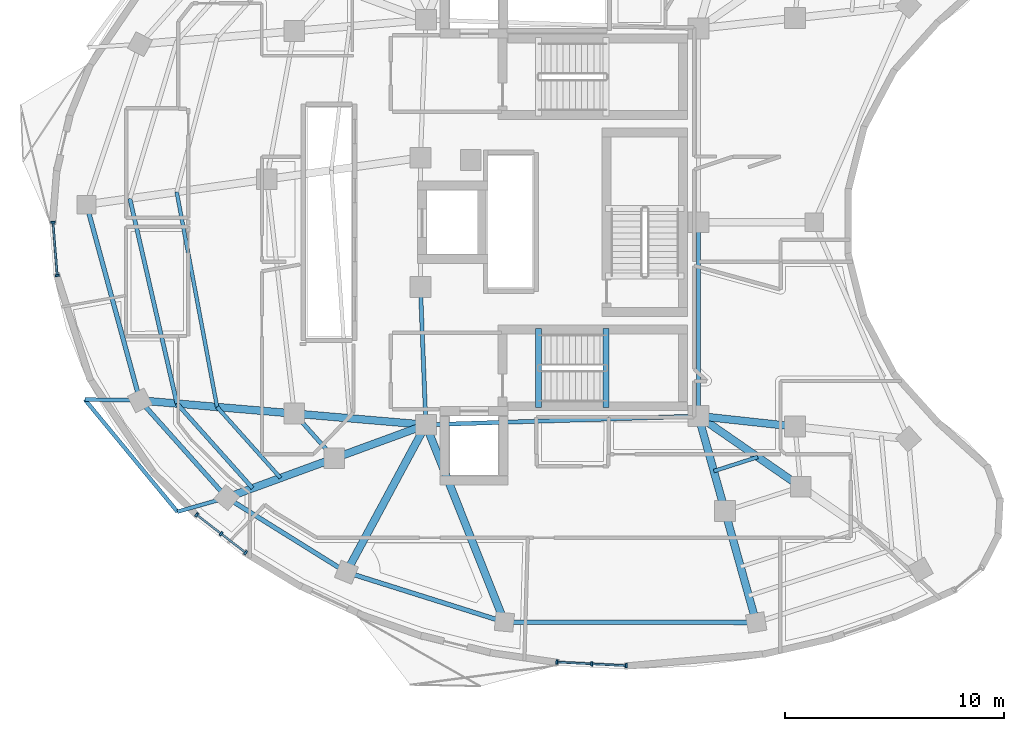
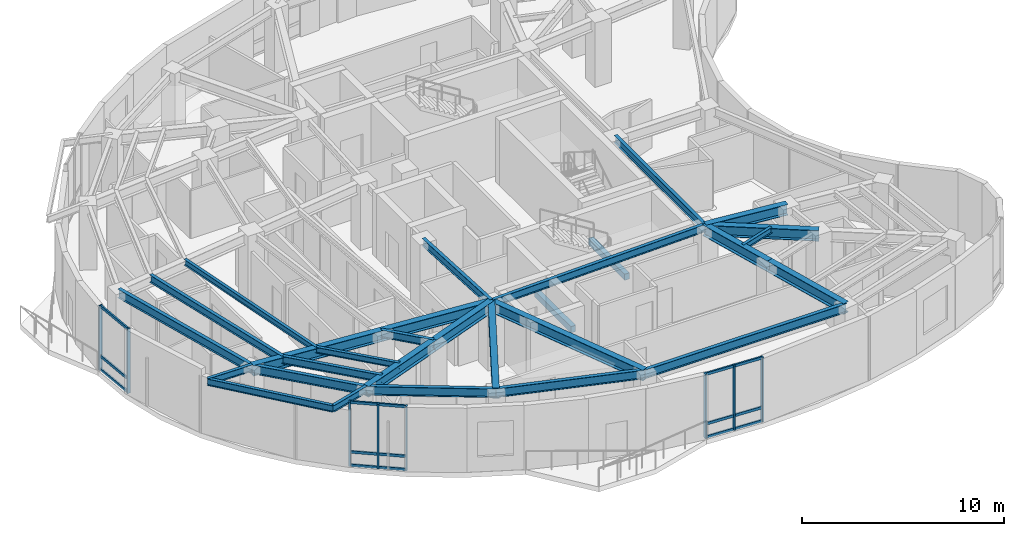
# One storey, part 2 of 14: 29 beams, 23 members, 3 elements without a shape of their own.
"""IFC4 building model written with IfcOpenShell, lengths in metres."""

from ifc_helpers import new_model, si_unit, direction, frame, origin, origin_2d, place, context, subcontext, project, spatial, rectangle, i_section, extrude, material, layer, layer_set, material_profile, profile_set, type_object, element, aggregate, save


model = new_model("IFC4")

# Units and contexts
model_context = context("Model", 3, precision=1e-05, world=origin(), true_north=direction((0.0, 1.0)))
body_context = subcontext(model_context, "Body", "Model", "MODEL_VIEW")
ifc_project = project(units=[si_unit("LENGTHUNIT", "METRE"), si_unit("AREAUNIT", "SQUARE_METRE"), si_unit("VOLUMEUNIT", "CUBIC_METRE"), si_unit("PLANEANGLEUNIT", "RADIAN"), si_unit("MASSUNIT", "GRAM", prefix="KILO")], contexts=[model_context])

# Site, building, storey
site_placement = place(None, origin())
site = spatial("IfcSite", under=ifc_project, at=site_placement, CompositionType="ELEMENT")
building_placement = place(site_placement, origin())
building = spatial("IfcBuilding", under=site, at=building_placement, Name="Korentha Bioscience Tower", CompositionType="ELEMENT")
storey_placement = place(building_placement, frame((0.0, 0.0, 264.60009765625)))
storey = spatial("IfcBuildingStorey", under=building, at=storey_placement, Name="L61", CompositionType="ELEMENT", Elevation=264.60009765625)

# Beams
ifc_material_1 = material(Name="Concrete C50", Category="concrete")
ifc_material_profile_1 = material_profile(ifc_material_1, rectangle(XDim=0.280029296875, YDim=0.3798828125, at=origin_2d()), Name="Concrete C50")
ifc_profile_set_1 = profile_set([ifc_material_profile_1], Name="Concrete C50 (ST-HB380)")
beam_type_1 = type_object("IfcBeamType", Name="Concrete Stair Header Beam RC 280x380", PredefinedType="BEAM", material=ifc_profile_set_1)
for number, where, z_axis, x_axis, name in (
    (1, (30.25, 18.550048828125, -0.190185546875), (0.0, 1.0, 0.0), (-1.0, 0.0, 0.0), "L61 ST-2 Concrete Stair Header Beam"),
    (2, (33.330078125, 18.550048828125, 1.909912109375), (0.0, 1.0, 0.0), (-1.0, 0.0, 0.0), "L61 ST-2 Half-Landing Header Beam 1"),
):
    element("IfcBeam", number, at=place(storey_placement, frame(where, z_axis=z_axis, x_axis=x_axis)), inside=storey, type_object=beam_type_1, Name=name, PredefinedType="BEAM", context=body_context, shape_type="SweptSolid", body=[
        extrude(rectangle(XDim=0.280029296875, YDim=0.3798828125, at=origin_2d()), origin(), (0.0, 0.0, 1.0), 3.599853515625),
    ])
ifc_material_2 = material(Name="Steel S355", Category="steel")
ifc_material_profile_2 = material_profile(ifc_material_2, i_section(OverallWidth=0.18994140625, OverallDepth=0.45703125, WebThickness=0.009033203125, FlangeThickness=0.014404296875, at=origin_2d()), Name="Steel S355")
ifc_profile_set_2 = profile_set([ifc_material_profile_2], Name="Steel S355 (MB-460)")
beam_type_2 = type_object("IfcBeamType", Name="Mid-Ring Tie Girder W460x74", PredefinedType="BEAM", material=ifc_profile_set_2)
beam_1_placement = place(storey_placement, frame((19.08984375, 18.262451171875, 3.67138671875), z_axis=(0.666159168073, -0.745809602239, 0.0), x_axis=(0.745809602239, 0.666159168073, 0.0)))
element("IfcBeam", 3, at=beam_1_placement, inside=storey, type_object=beam_type_2, Name="L61 Mid-Ring Tie Girder 08", PredefinedType="BEAM", context=body_context, shape_type="SweptSolid", body=[
    extrude(i_section(OverallWidth=0.18994140625, OverallDepth=0.45703125, WebThickness=0.009033203125, FlangeThickness=0.014404296875, at=origin_2d()), origin(), (0.0, 0.0, 1.0), 2.740234375),
])
beam_2_placement = place(storey_placement, frame((24.85009765625, 24.050048828125, 3.67138671875), z_axis=(0.039651025576, -0.999213588864, 0.0), x_axis=(0.999213588864, 0.039651025576, 0.0)))
element("IfcBeam", 4, at=beam_2_placement, inside=storey, type_object=beam_type_2, Name="L61 Core Ring Tie Girder 04", PredefinedType="BEAM", context=body_context, shape_type="SweptSolid", body=[
    extrude(i_section(OverallWidth=0.18994140625, OverallDepth=0.45703125, WebThickness=0.009033203125, FlangeThickness=0.014404296875, at=origin_2d()), origin(), (0.0, 0.0, 1.0), 6.304931640625),
])
beam_3_placement = place(storey_placement, frame((25.10009765625, 17.75, 3.67138671875), z_axis=(0.999484526071, 0.032104238723, 0.0), x_axis=(-0.032104238723, 0.999484526071, 0.0)))
element("IfcBeam", 5, at=beam_3_placement, inside=storey, type_object=beam_type_2, Name="L61 Core Ring Tie Girder 05", PredefinedType="BEAM", context=body_context, shape_type="SweptSolid", body=[
    extrude(i_section(OverallWidth=0.18994140625, OverallDepth=0.45703125, WebThickness=0.009033203125, FlangeThickness=0.014404296875, at=origin_2d()), origin(), (0.0, 0.0, 1.0), 12.456298828125),
])
beam_4_placement = place(storey_placement, frame((37.550048828125, 18.14990234375, 3.67138671875), z_axis=(0.0, 1.0, 0.0), x_axis=(-1.0, 0.0, 0.0)))
element("IfcBeam", 6, at=beam_4_placement, inside=storey, type_object=beam_type_2, Name="L61 Core Ring Tie Girder 06", PredefinedType="BEAM", context=body_context, shape_type="SweptSolid", body=[
    extrude(i_section(OverallWidth=0.18994140625, OverallDepth=0.45703125, WebThickness=0.009033203125, FlangeThickness=0.014404296875, at=origin_2d()), origin(), (0.0, 0.0, 1.0), 8.85009765625),
])

# Curtain wall, members
ifc_material_3 = material(Name="Thermally Broken Aluminium Frame", Category="aluminium")
ifc_layer = layer(ifc_material_3, 0.219970703125, Name="Thermally Broken Aluminium Frame")
ifc_layer_set = layer_set([ifc_layer], Name="Thermally Broken Aluminium Frame (CW-T1)")
curtain_wall_type = type_object("IfcCurtainWallType", Name="Standard Bioscience Lab Unitised Curtain Wall CW-T1", PredefinedType="USERDEFINED", material=ifc_layer_set)
curtain_wall_1_placement = place(storey_placement, origin())
curtain_wall_1 = element("IfcCurtainWall", 7, at=curtain_wall_1_placement, inside=storey, type_object=curtain_wall_type, Name="L61 Curtain Wall 19", ObjectType="UNITISED", PredefinedType="USERDEFINED")
ifc_material_4 = material(Name="Anodised Aluminium 6063-T6", Category="aluminium")
ifc_material_profile_3 = material_profile(ifc_material_4, rectangle(XDim=0.090087890625, YDim=0.199951171875, at=origin_2d()), Name="Anodised Aluminium 6063-T6")
ifc_profile_set_3 = profile_set([ifc_material_profile_3], Name="Anodised Aluminium 6063-T6 (CW-MUL)")
member_type_1 = type_object("IfcMemberType", Name="Mullion RECT 90x200", PredefinedType="MULLION", material=ifc_profile_set_3)
member_1_placement = place(storey_placement, frame((8.06884765625, 27.007568359375, 0.0), z_axis=(0.0, 0.0, 1.0), x_axis=(0.078035250492, -0.996950600421, 0.0)))
member_1 = element("IfcMember", 8, at=member_1_placement, type_object=member_type_1, Name="CW-L61-19 Mullion 1", PredefinedType="MULLION", context=body_context, shape_type="SweptSolid", body=[
    extrude(rectangle(XDim=0.090087890625, YDim=0.199951171875, at=origin_2d()), origin(), (0.0, 0.0, 1.0), 3.89990234375),
])
member_2_placement = place(storey_placement, frame((8.259765625, 24.569091796875, 0.0), z_axis=(0.0, 0.0, 1.0), x_axis=(0.078035250492, -0.996950600421, 0.0)))
member_2 = element("IfcMember", 9, at=member_2_placement, type_object=member_type_1, Name="CW-L61-19 Mullion 2", PredefinedType="MULLION", context=body_context, shape_type="SweptSolid", body=[
    extrude(rectangle(XDim=0.090087890625, YDim=0.199951171875, at=origin_2d()), origin(), (0.0, 0.0, 1.0), 3.89990234375),
])

curtain_wall_2_placement = place(storey_placement, origin())
curtain_wall_2 = element("IfcCurtainWall", 10, at=curtain_wall_2_placement, inside=storey, type_object=curtain_wall_type, Name="L61 Curtain Wall 25", ObjectType="UNITISED", PredefinedType="USERDEFINED")
member_3_placement = place(storey_placement, frame((14.6259765625, 13.64111328125, 0.0), z_axis=(0.0, 0.0, 1.0), x_axis=(0.790487520139, -0.612478146961, 0.0)))
member_3 = element("IfcMember", 11, at=member_3_placement, type_object=member_type_1, Name="CW-L61-25 Mullion 1", PredefinedType="MULLION", context=body_context, shape_type="SweptSolid", body=[
    extrude(rectangle(XDim=0.090087890625, YDim=0.199951171875, at=origin_2d()), origin(), (0.0, 0.0, 1.0), 3.89990234375),
])
member_4_placement = place(storey_placement, frame((15.74560546875, 12.773681640625, 0.0), z_axis=(0.0, 0.0, 1.0), x_axis=(0.790487520139, -0.612478146961, 0.0)))
member_4 = element("IfcMember", 12, at=member_4_placement, type_object=member_type_1, Name="CW-L61-25 Mullion 2", PredefinedType="MULLION", context=body_context, shape_type="SweptSolid", body=[
    extrude(rectangle(XDim=0.090087890625, YDim=0.199951171875, at=origin_2d()), origin(), (0.0, 0.0, 1.0), 3.89990234375),
])
member_5_placement = place(storey_placement, frame((16.865234375, 11.90625, 0.0), z_axis=(0.0, 0.0, 1.0), x_axis=(0.790487520139, -0.612478146961, 0.0)))
member_5 = element("IfcMember", 13, at=member_5_placement, type_object=member_type_1, Name="CW-L61-25 Mullion 3", PredefinedType="MULLION", context=body_context, shape_type="SweptSolid", body=[
    extrude(rectangle(XDim=0.090087890625, YDim=0.199951171875, at=origin_2d()), origin(), (0.0, 0.0, 1.0), 3.89990234375),
])

curtain_wall_3_placement = place(storey_placement, origin())
curtain_wall_3 = element("IfcCurtainWall", 14, at=curtain_wall_3_placement, inside=storey, type_object=curtain_wall_type, Name="L61 Curtain Wall 31", ObjectType="UNITISED", PredefinedType="USERDEFINED")
member_6_placement = place(storey_placement, frame((31.086181640625, 6.91259765625, 0.0), z_axis=(0.0, 0.0, 1.0), x_axis=(0.998636113937, -0.052210266622, 0.0)))
member_6 = element("IfcMember", 15, at=member_6_placement, type_object=member_type_1, Name="CW-L61-31 Mullion 1", PredefinedType="MULLION", context=body_context, shape_type="SweptSolid", body=[
    extrude(rectangle(XDim=0.090087890625, YDim=0.199951171875, at=origin_2d()), origin(), (0.0, 0.0, 1.0), 3.89990234375),
])
member_7_placement = place(storey_placement, frame((32.6728515625, 6.82958984375, 0.0), z_axis=(0.0, 0.0, 1.0), x_axis=(0.998636113937, -0.052210266622, 0.0)))
member_7 = element("IfcMember", 16, at=member_7_placement, type_object=member_type_1, Name="CW-L61-31 Mullion 2", PredefinedType="MULLION", context=body_context, shape_type="SweptSolid", body=[
    extrude(rectangle(XDim=0.090087890625, YDim=0.199951171875, at=origin_2d()), origin(), (0.0, 0.0, 1.0), 3.89990234375),
])
member_8_placement = place(storey_placement, frame((34.259521484375, 6.74658203125, 0.0), z_axis=(0.0, 0.0, 1.0), x_axis=(0.998636113937, -0.052210266622, 0.0)))
member_8 = element("IfcMember", 17, at=member_8_placement, type_object=member_type_1, Name="CW-L61-31 Mullion 3", PredefinedType="MULLION", context=body_context, shape_type="SweptSolid", body=[
    extrude(rectangle(XDim=0.090087890625, YDim=0.199951171875, at=origin_2d()), origin(), (0.0, 0.0, 1.0), 3.89990234375),
])

# Beams
ifc_material_profile_4 = material_profile(ifc_material_2, i_section(OverallWidth=0.208984375, OverallDepth=0.532958984375, WebThickness=0.01025390625, FlangeThickness=0.015625, at=origin_2d()), Name="Steel S355")
ifc_profile_set_4 = profile_set([ifc_material_profile_4], Name="Steel S355 (SB-530)")
beam_type_3 = type_object("IfcBeamType", Name="Perimeter Ring Spandrel Girder W530x92", PredefinedType="SPANDREL", material=ifc_profile_set_4)
beam_5_placement = place(storey_placement, frame((9.597412109375, 27.810302734375, 3.63330078125), z_axis=(0.26282776206, -0.964842768274, 0.0), x_axis=(0.964842768274, 0.26282776206, 0.0)))
element("IfcBeam", 18, at=beam_5_placement, inside=storey, type_object=beam_type_3, Name="L61 Perimeter Spandrel Girder 07", PredefinedType="SPANDREL", context=body_context, shape_type="SweptSolid", body=[
    extrude(i_section(OverallWidth=0.208984375, OverallDepth=0.532958984375, WebThickness=0.01025390625, FlangeThickness=0.015625, at=origin_2d()), origin(), (0.0, 0.0, 1.0), 9.272216796875),
])
beam_6_placement = place(storey_placement, frame((12.034423828125, 18.864013671875, 3.63330078125), z_axis=(0.666168059737, -0.745801660086, 0.0), x_axis=(0.745801660086, 0.666168059737, 0.0)))
element("IfcBeam", 19, at=beam_6_placement, inside=storey, type_object=beam_type_3, Name="L61 Perimeter Spandrel Girder 08", PredefinedType="SPANDREL", context=body_context, shape_type="SweptSolid", body=[
    extrude(i_section(OverallWidth=0.208984375, OverallDepth=0.532958984375, WebThickness=0.01025390625, FlangeThickness=0.015625, at=origin_2d()), origin(), (0.0, 0.0, 1.0), 5.956787109375),
])
beam_7_placement = place(storey_placement, frame((16.002685546875, 14.42138671875, 3.63330078125), z_axis=(0.848585501162, -0.529058264482, 0.0), x_axis=(0.529058264482, 0.848585501162, 0.0)))
element("IfcBeam", 20, at=beam_7_placement, inside=storey, type_object=beam_type_3, Name="L61 Perimeter Spandrel Girder 09", PredefinedType="SPANDREL", context=body_context, shape_type="SweptSolid", body=[
    extrude(i_section(OverallWidth=0.208984375, OverallDepth=0.532958984375, WebThickness=0.01025390625, FlangeThickness=0.015625, at=origin_2d()), origin(), (0.0, 0.0, 1.0), 6.441162109375),
])
beam_8_placement = place(storey_placement, frame((21.468505859375, 11.013671875, 3.63330078125), z_axis=(0.953788154386, -0.300479877118, 0.0), x_axis=(0.300479877118, 0.953788154386, 0.0)))
element("IfcBeam", 21, at=beam_8_placement, inside=storey, type_object=beam_type_3, Name="L61 Perimeter Spandrel Girder 10", PredefinedType="SPANDREL", context=body_context, shape_type="SweptSolid", body=[
    extrude(i_section(OverallWidth=0.208984375, OverallDepth=0.532958984375, WebThickness=0.01025390625, FlangeThickness=0.015625, at=origin_2d()), origin(), (0.0, 0.0, 1.0), 7.5693359375),
])
beam_9_placement = place(storey_placement, frame((28.68798828125, 8.7392578125, 3.63330078125), z_axis=(0.999998255351, -0.001867965325, 0.0), x_axis=(0.001867965325, 0.999998255351, 0.0)))
element("IfcBeam", 22, at=beam_9_placement, inside=storey, type_object=beam_type_3, Name="L61 Perimeter Spandrel Girder 11", PredefinedType="SPANDREL", context=body_context, shape_type="SweptSolid", body=[
    extrude(i_section(OverallWidth=0.208984375, OverallDepth=0.532958984375, WebThickness=0.01025390625, FlangeThickness=0.015625, at=origin_2d()), origin(), (0.0, 0.0, 1.0), 11.50146484375),
])
ifc_material_profile_5 = material_profile(ifc_material_2, i_section(OverallWidth=0.18994140625, OverallDepth=0.45703125, WebThickness=0.009033203125, FlangeThickness=0.014404296875, at=origin_2d()), Name="Steel S355")
ifc_profile_set_5 = profile_set([ifc_material_profile_5], Name="Steel S355 (RB-460)")
beam_type_4 = type_object("IfcBeamType", Name="Radial Laboratory Beam W460x74", PredefinedType="BEAM", material=ifc_profile_set_5)
beam_10_placement = place(storey_placement, frame((11.57421875, 28.087646484375, 3.67138671875), z_axis=(0.224037694456, -0.974580479726, 0.0), x_axis=(0.974580479726, 0.224037694456, 0.0)))
element("IfcBeam", 23, at=beam_10_placement, inside=storey, type_object=beam_type_4, Name="L61 Secondary Floor Beam JSTO-07", PredefinedType="BEAM", context=body_context, shape_type="SweptSolid", body=[
    extrude(i_section(OverallWidth=0.18994140625, OverallDepth=0.45703125, WebThickness=0.009033203125, FlangeThickness=0.014404296875, at=origin_2d()), origin(), (0.0, 0.0, 1.0), 9.612548828125),
])
beam_11_placement = place(storey_placement, frame((13.727783203125, 18.719482421875, 3.67138671875), z_axis=(0.666197283, -0.745775556132, 0.0), x_axis=(0.745775556132, 0.666197283, 0.0)))
element("IfcBeam", 24, at=beam_11_placement, inside=storey, type_object=beam_type_4, Name="L61 Secondary Floor Beam JSTO-08", PredefinedType="BEAM", context=body_context, shape_type="SweptSolid", body=[
    extrude(i_section(OverallWidth=0.18994140625, OverallDepth=0.45703125, WebThickness=0.009033203125, FlangeThickness=0.014404296875, at=origin_2d()), origin(), (0.0, 0.0, 1.0), 5.184814453125),
])
ifc_material_profile_6 = material_profile(ifc_material_2, i_section(OverallWidth=0.35009765625, OverallDepth=0.64990234375, WebThickness=0.01611328125, FlangeThickness=0.02490234375, at=origin_2d()), Name="Steel S355")
ifc_profile_set_6 = profile_set([ifc_material_profile_6], Name="Steel S355 (RB-650)")
beam_type_5 = type_object("IfcBeamType", Name="Radial Laboratory Girder CVS 650x208", PredefinedType="BEAM", material=ifc_profile_set_6)
beam_12_placement = place(storey_placement, frame((25.10009765625, 17.75, 3.574951171875), z_axis=(-0.996384825277, 0.084954575849, 0.0), x_axis=(-0.084954575849, -0.996384825277, 0.0)))
element("IfcBeam", 25, at=beam_12_placement, inside=storey, type_object=beam_type_5, Name="L61 Inner Radial Girder 08", PredefinedType="BEAM", context=body_context, shape_type="SweptSolid", body=[
    extrude(i_section(OverallWidth=0.35009765625, OverallDepth=0.64990234375, WebThickness=0.01611328125, FlangeThickness=0.02490234375, at=origin_2d()), origin(), (0.0, 0.0, 1.0), 6.031982421875),
])
beam_13_placement = place(storey_placement, frame((19.08984375, 18.262451171875, 3.574951171875), z_axis=(-0.996384854796, 0.084954229635, 0.0), x_axis=(-0.084954229635, -0.996384854796, 0.0)))
element("IfcBeam", 26, at=beam_13_placement, inside=storey, type_object=beam_type_5, Name="L61 Outer Radial Girder 08", PredefinedType="BEAM", context=body_context, shape_type="SweptSolid", body=[
    extrude(i_section(OverallWidth=0.35009765625, OverallDepth=0.64990234375, WebThickness=0.01611328125, FlangeThickness=0.02490234375, at=origin_2d()), origin(), (0.0, 0.0, 1.0), 7.0810546875),
])
beam_14_placement = place(storey_placement, frame((25.10009765625, 17.75, 3.574951171875), z_axis=(-0.939106897866, -0.343625136422, 0.0), x_axis=(0.343625136422, -0.939106897866, 0.0)))
element("IfcBeam", 27, at=beam_14_placement, inside=storey, type_object=beam_type_5, Name="L61 Inner Radial Girder 09", PredefinedType="BEAM", context=body_context, shape_type="SweptSolid", body=[
    extrude(i_section(OverallWidth=0.35009765625, OverallDepth=0.64990234375, WebThickness=0.01611328125, FlangeThickness=0.02490234375, at=origin_2d()), origin(), (0.0, 0.0, 1.0), 4.4560546875),
])
beam_15_placement = place(storey_placement, frame((20.915283203125, 16.21875, 3.574951171875), z_axis=(-0.939118444477, -0.343593578583, 0.0), x_axis=(0.343593578583, -0.939118444477, 0.0)))
element("IfcBeam", 28, at=beam_15_placement, inside=storey, type_object=beam_type_5, Name="L61 Outer Radial Girder 09", PredefinedType="BEAM", context=body_context, shape_type="SweptSolid", body=[
    extrude(i_section(OverallWidth=0.35009765625, OverallDepth=0.64990234375, WebThickness=0.01611328125, FlangeThickness=0.02490234375, at=origin_2d()), origin(), (0.0, 0.0, 1.0), 5.23095703125),
])
beam_16_placement = place(storey_placement, frame((25.10009765625, 17.75, 3.574951171875), z_axis=(-0.474539218542, -0.880234360875, 0.0), x_axis=(0.880234360875, -0.474539218542, 0.0)))
element("IfcBeam", 29, at=beam_16_placement, inside=storey, type_object=beam_type_5, Name="L61 Radial Girder 10", PredefinedType="BEAM", context=body_context, shape_type="SweptSolid", body=[
    extrude(i_section(OverallWidth=0.35009765625, OverallDepth=0.64990234375, WebThickness=0.01611328125, FlangeThickness=0.02490234375, at=origin_2d()), origin(), (0.0, 0.0, 1.0), 7.65283203125),
])
beam_17_placement = place(storey_placement, frame((25.10009765625, 17.75, 3.574951171875), z_axis=(0.369931961537, -0.929058848423, 0.0), x_axis=(0.929058848423, 0.369931961537, 0.0)))
element("IfcBeam", 30, at=beam_17_placement, inside=storey, type_object=beam_type_5, Name="L61 Radial Girder 11", PredefinedType="BEAM", context=body_context, shape_type="SweptSolid", body=[
    extrude(i_section(OverallWidth=0.35009765625, OverallDepth=0.64990234375, WebThickness=0.01611328125, FlangeThickness=0.02490234375, at=origin_2d()), origin(), (0.0, 0.0, 1.0), 9.69873046875),
])
beam_18_placement = place(storey_placement, frame((37.550048828125, 18.14990234375, 3.574951171875), z_axis=(0.269471139951, -0.963008465556, 0.0), x_axis=(0.963008465556, 0.269471139951, 0.0)))
element("IfcBeam", 31, at=beam_18_placement, inside=storey, type_object=beam_type_5, Name="L61 Inner Radial Girder 12", PredefinedType="BEAM", context=body_context, shape_type="SweptSolid", body=[
    extrude(i_section(OverallWidth=0.35009765625, OverallDepth=0.64990234375, WebThickness=0.01611328125, FlangeThickness=0.02490234375, at=origin_2d()), origin(), (0.0, 0.0, 1.0), 4.505615234375),
])
beam_19_placement = place(storey_placement, frame((38.76416015625, 13.81103515625, 3.574951171875), z_axis=(0.26948609841, -0.963004279723, 0.0), x_axis=(0.963004279723, 0.26948609841, 0.0)))
element("IfcBeam", 32, at=beam_19_placement, inside=storey, type_object=beam_type_5, Name="L61 Outer Radial Girder 12", PredefinedType="BEAM", context=body_context, shape_type="SweptSolid", body=[
    extrude(i_section(OverallWidth=0.35009765625, OverallDepth=0.64990234375, WebThickness=0.01611328125, FlangeThickness=0.02490234375, at=origin_2d()), origin(), (0.0, 0.0, 1.0), 5.288818359375),
])
beam_20_placement = place(storey_placement, frame((37.550048828125, 18.14990234375, 3.574951171875), z_axis=(0.822500009141, -0.56876509647, 0.0), x_axis=(0.56876509647, 0.822500009141, 0.0)))
element("IfcBeam", 33, at=beam_20_placement, inside=storey, type_object=beam_type_5, Name="L61 Inner Radial Girder 13", PredefinedType="BEAM", context=body_context, shape_type="SweptSolid", body=[
    extrude(i_section(OverallWidth=0.35009765625, OverallDepth=0.64990234375, WebThickness=0.01611328125, FlangeThickness=0.02490234375, at=origin_2d()), origin(), (0.0, 0.0, 1.0), 5.6796875),
])
beam_21_placement = place(storey_placement, frame((37.550048828125, 18.14990234375, 3.574951171875), z_axis=(0.994121454153, -0.108270653423, 0.0), x_axis=(0.108270653423, 0.994121454153, 0.0)))
element("IfcBeam", 34, at=beam_21_placement, inside=storey, type_object=beam_type_5, Name="L61 Inner Radial Girder 14", PredefinedType="BEAM", context=body_context, shape_type="SweptSolid", body=[
    extrude(i_section(OverallWidth=0.35009765625, OverallDepth=0.64990234375, WebThickness=0.01611328125, FlangeThickness=0.02490234375, at=origin_2d()), origin(), (0.0, 0.0, 1.0), 4.43994140625),
])
ifc_material_profile_7 = material_profile(ifc_material_2, i_section(OverallWidth=0.1708984375, OverallDepth=0.35498046875, WebThickness=0.007080078125, FlangeThickness=0.01171875, at=origin_2d()), Name="Steel S355")
ifc_profile_set_7 = profile_set([ifc_material_profile_7], Name="Steel S355 (JB-360)")
beam_type_6 = type_object("IfcBeamType", Name="Secondary Laboratory Joist W360x51", PredefinedType="JOIST", material=ifc_profile_set_7)
beam_22_placement = place(storey_placement, frame((13.715576171875, 28.38818359375, 3.722412109375), z_axis=(0.184699906213, -0.98279496572, 0.0), x_axis=(0.98279496572, 0.184699906213, 0.0)))
element("IfcBeam", 35, at=beam_22_placement, inside=storey, type_object=beam_type_6, Name="L61 Secondary Floor Beam JST-07", PredefinedType="JOIST", context=body_context, shape_type="SweptSolid", body=[
    extrude(i_section(OverallWidth=0.1708984375, OverallDepth=0.35498046875, WebThickness=0.007080078125, FlangeThickness=0.01171875, at=origin_2d()), origin(), (0.0, 0.0, 1.0), 9.9970703125),
])
beam_23_placement = place(storey_placement, frame((15.56201171875, 18.563232421875, 3.722412109375), z_axis=(0.666180871809, -0.745790215836, 0.0), x_axis=(0.745790215836, 0.666180871809, 0.0)))
element("IfcBeam", 36, at=beam_23_placement, inside=storey, type_object=beam_type_6, Name="L61 Secondary Floor Beam JST-08", PredefinedType="JOIST", context=body_context, shape_type="SweptSolid", body=[
    extrude(i_section(OverallWidth=0.1708984375, OverallDepth=0.35498046875, WebThickness=0.007080078125, FlangeThickness=0.01171875, at=origin_2d()), origin(), (0.0, 0.0, 1.0), 4.3486328125),
])
beam_24_placement = place(storey_placement, frame((38.254150390625, 15.63330078125, 3.722412109375), z_axis=(0.952238215196, 0.305356155202, 0.0), x_axis=(-0.305356155202, 0.952238215196, 0.0)))
element("IfcBeam", 37, at=beam_24_placement, inside=storey, type_object=beam_type_6, Name="L61 Inner Bay Joist 12", PredefinedType="JOIST", context=body_context, shape_type="SweptSolid", body=[
    extrude(i_section(OverallWidth=0.1708984375, OverallDepth=0.35498046875, WebThickness=0.007080078125, FlangeThickness=0.01171875, at=origin_2d()), origin(), (0.0, 0.0, 1.0), 2.10595703125),
])
ifc_material_profile_8 = material_profile(ifc_material_2, i_section(OverallWidth=0.177978515625, OverallDepth=0.406982421875, WebThickness=0.0078125, FlangeThickness=0.0126953125, at=origin_2d()), Name="Steel S355")
ifc_profile_set_8 = profile_set([ifc_material_profile_8], Name="Steel S355 (CB-410)")
beam_type_7 = type_object("IfcBeamType", Name="Sun-Ledge Cantilever Beam W410x60", PredefinedType="BEAM", material=ifc_profile_set_8)
beam_25_placement = place(storey_placement, frame((12.034423828125, 18.864013671875, 3.698486328125), z_axis=(-0.999870129218, 0.016115976449, 0.0), x_axis=(-0.016115976449, -0.999870129218, 0.0)))
element("IfcBeam", 38, at=beam_25_placement, inside=storey, type_object=beam_type_7, Name="L61 Balcony Cantilever Bracket A-L62-03", PredefinedType="BEAM", context=body_context, shape_type="SweptSolid", body=[
    extrude(i_section(OverallWidth=0.177978515625, OverallDepth=0.406982421875, WebThickness=0.0078125, FlangeThickness=0.0126953125, at=origin_2d()), origin(), (0.0, 0.0, 1.0), 2.5146484375),
])
beam_26_placement = place(storey_placement, frame((16.002685546875, 14.42138671875, 3.698486328125), z_axis=(-0.96166922209, -0.274212157436, 0.0), x_axis=(0.274212157436, -0.96166922209, 0.0)))
element("IfcBeam", 39, at=beam_26_placement, inside=storey, type_object=beam_type_7, Name="L61 Balcony Cantilever Bracket B-L62-03", PredefinedType="BEAM", context=body_context, shape_type="SweptSolid", body=[
    extrude(i_section(OverallWidth=0.177978515625, OverallDepth=0.406982421875, WebThickness=0.0078125, FlangeThickness=0.0126953125, at=origin_2d()), origin(), (0.0, 0.0, 1.0), 2.34423828125),
])
beam_27_placement = place(storey_placement, frame((9.52001953125, 18.904541015625, 3.698486328125), z_axis=(0.636323926248, -0.771421973296, 0.0), x_axis=(0.771421973296, 0.636323926248, 0.0)))
element("IfcBeam", 40, at=beam_27_placement, inside=storey, type_object=beam_type_7, Name="L61 Balcony Edge Trimmer Beam L62-03", PredefinedType="BEAM", context=body_context, shape_type="SweptSolid", body=[
    extrude(i_section(OverallWidth=0.177978515625, OverallDepth=0.406982421875, WebThickness=0.0078125, FlangeThickness=0.0126953125, at=origin_2d()), origin(), (0.0, 0.0, 1.0), 6.644775390625),
])

# Member
ifc_material_profile_9 = material_profile(ifc_material_4, rectangle(XDim=0.090087890625, YDim=0.159912109375, at=origin_2d()), Name="Anodised Aluminium 6063-T6")
ifc_profile_set_9 = profile_set([ifc_material_profile_9], Name="Anodised Aluminium 6063-T6 (CW-TRN)")
member_type_2 = type_object("IfcMemberType", Name="Transom RECT 90x160", PredefinedType="USERDEFINED", material=ifc_profile_set_9)
member_9_placement = place(storey_placement, frame((8.072509765625, 26.962646484375, 0.044921875), z_axis=(0.078027673701, -0.996951193458, 0.0), x_axis=(0.996951193458, 0.078027673701, 0.0)))
member_9 = element("IfcMember", 41, at=member_9_placement, type_object=member_type_2, Name="CW-L61-19 Bay 1 Transom 1", ObjectType="TRANSOM", PredefinedType="USERDEFINED", context=body_context, shape_type="SweptSolid", body=[
    extrude(rectangle(XDim=0.090087890625, YDim=0.159912109375, at=origin_2d()), origin(), (0.0, 0.0, 1.0), 2.35595703125),
])

member_10_placement = place(storey_placement, frame((8.072509765625, 26.962646484375, 0.849853515625), z_axis=(0.078027673701, -0.996951193458, 0.0), x_axis=(0.996951193458, 0.078027673701, 0.0)))
member_10 = element("IfcMember", 42, at=member_10_placement, type_object=member_type_2, Name="CW-L61-19 Bay 1 Transom 2", ObjectType="TRANSOM", PredefinedType="USERDEFINED", context=body_context, shape_type="SweptSolid", body=[
    extrude(rectangle(XDim=0.090087890625, YDim=0.159912109375, at=origin_2d()), origin(), (0.0, 0.0, 1.0), 2.35595703125),
])

member_11_placement = place(storey_placement, frame((8.072509765625, 26.962646484375, 3.85498046875), z_axis=(0.078027673701, -0.996951193458, 0.0), x_axis=(0.996951193458, 0.078027673701, 0.0)))
member_11 = element("IfcMember", 43, at=member_11_placement, type_object=member_type_2, Name="CW-L61-19 Bay 1 Transom 3", ObjectType="TRANSOM", PredefinedType="USERDEFINED", context=body_context, shape_type="SweptSolid", body=[
    extrude(rectangle(XDim=0.090087890625, YDim=0.159912109375, at=origin_2d()), origin(), (0.0, 0.0, 1.0), 2.35595703125),
])

aggregate(curtain_wall_1, [member_1, member_2, member_9, member_10, member_11])

member_12_placement = place(storey_placement, frame((14.661376953125, 13.61376953125, 0.044921875), z_axis=(0.790470743722, -0.612499798628, 0.0), x_axis=(0.612499798628, 0.790470743722, 0.0)))
member_12 = element("IfcMember", 44, at=member_12_placement, type_object=member_type_2, Name="CW-L61-25 Bay 1 Transom 1", ObjectType="TRANSOM", PredefinedType="USERDEFINED", context=body_context, shape_type="SweptSolid", body=[
    extrude(rectangle(XDim=0.090087890625, YDim=0.159912109375, at=origin_2d()), origin(), (0.0, 0.0, 1.0), 1.326416015625),
])

member_13_placement = place(storey_placement, frame((14.661376953125, 13.61376953125, 0.849853515625), z_axis=(0.790470743722, -0.612499798628, 0.0), x_axis=(0.612499798628, 0.790470743722, 0.0)))
member_13 = element("IfcMember", 45, at=member_13_placement, type_object=member_type_2, Name="CW-L61-25 Bay 1 Transom 2", ObjectType="TRANSOM", PredefinedType="USERDEFINED", context=body_context, shape_type="SweptSolid", body=[
    extrude(rectangle(XDim=0.090087890625, YDim=0.159912109375, at=origin_2d()), origin(), (0.0, 0.0, 1.0), 1.326416015625),
])

member_14_placement = place(storey_placement, frame((14.661376953125, 13.61376953125, 3.85498046875), z_axis=(0.790470743722, -0.612499798628, 0.0), x_axis=(0.612499798628, 0.790470743722, 0.0)))
member_14 = element("IfcMember", 46, at=member_14_placement, type_object=member_type_2, Name="CW-L61-25 Bay 1 Transom 3", ObjectType="TRANSOM", PredefinedType="USERDEFINED", context=body_context, shape_type="SweptSolid", body=[
    extrude(rectangle(XDim=0.090087890625, YDim=0.159912109375, at=origin_2d()), origin(), (0.0, 0.0, 1.0), 1.326416015625),
])

member_15_placement = place(storey_placement, frame((15.781005859375, 12.74609375, 0.044921875), z_axis=(0.790470743722, -0.612499798628, 0.0), x_axis=(0.612499798628, 0.790470743722, 0.0)))
member_15 = element("IfcMember", 47, at=member_15_placement, type_object=member_type_2, Name="CW-L61-25 Bay 2 Transom 1", ObjectType="TRANSOM", PredefinedType="USERDEFINED", context=body_context, shape_type="SweptSolid", body=[
    extrude(rectangle(XDim=0.090087890625, YDim=0.159912109375, at=origin_2d()), origin(), (0.0, 0.0, 1.0), 1.326416015625),
])

member_16_placement = place(storey_placement, frame((15.781005859375, 12.74609375, 0.849853515625), z_axis=(0.790470743722, -0.612499798628, 0.0), x_axis=(0.612499798628, 0.790470743722, 0.0)))
member_16 = element("IfcMember", 48, at=member_16_placement, type_object=member_type_2, Name="CW-L61-25 Bay 2 Transom 2", ObjectType="TRANSOM", PredefinedType="USERDEFINED", context=body_context, shape_type="SweptSolid", body=[
    extrude(rectangle(XDim=0.090087890625, YDim=0.159912109375, at=origin_2d()), origin(), (0.0, 0.0, 1.0), 1.326416015625),
])

member_17_placement = place(storey_placement, frame((15.781005859375, 12.74609375, 3.85498046875), z_axis=(0.790470743722, -0.612499798628, 0.0), x_axis=(0.612499798628, 0.790470743722, 0.0)))
member_17 = element("IfcMember", 49, at=member_17_placement, type_object=member_type_2, Name="CW-L61-25 Bay 2 Transom 3", ObjectType="TRANSOM", PredefinedType="USERDEFINED", context=body_context, shape_type="SweptSolid", body=[
    extrude(rectangle(XDim=0.090087890625, YDim=0.159912109375, at=origin_2d()), origin(), (0.0, 0.0, 1.0), 1.326416015625),
])

aggregate(curtain_wall_2, [member_3, member_4, member_5, member_12, member_13, member_14, member_15, member_16, member_17])

member_18_placement = place(storey_placement, frame((31.131103515625, 6.91015625, 0.044921875), z_axis=(0.998631744919, -0.05229376674, 0.0), x_axis=(0.05229376674, 0.998631744919, 0.0)))
member_18 = element("IfcMember", 50, at=member_18_placement, type_object=member_type_2, Name="CW-L61-31 Bay 1 Transom 1", ObjectType="TRANSOM", PredefinedType="USERDEFINED", context=body_context, shape_type="SweptSolid", body=[
    extrude(rectangle(XDim=0.090087890625, YDim=0.159912109375, at=origin_2d()), origin(), (0.0, 0.0, 1.0), 1.49853515625),
])

member_19_placement = place(storey_placement, frame((31.131103515625, 6.91015625, 0.849853515625), z_axis=(0.998631744919, -0.05229376674, 0.0), x_axis=(0.05229376674, 0.998631744919, 0.0)))
member_19 = element("IfcMember", 51, at=member_19_placement, type_object=member_type_2, Name="CW-L61-31 Bay 1 Transom 2", ObjectType="TRANSOM", PredefinedType="USERDEFINED", context=body_context, shape_type="SweptSolid", body=[
    extrude(rectangle(XDim=0.090087890625, YDim=0.159912109375, at=origin_2d()), origin(), (0.0, 0.0, 1.0), 1.49853515625),
])

member_20_placement = place(storey_placement, frame((31.131103515625, 6.91015625, 3.85498046875), z_axis=(0.998631744919, -0.05229376674, 0.0), x_axis=(0.05229376674, 0.998631744919, 0.0)))
member_20 = element("IfcMember", 52, at=member_20_placement, type_object=member_type_2, Name="CW-L61-31 Bay 1 Transom 3", ObjectType="TRANSOM", PredefinedType="USERDEFINED", context=body_context, shape_type="SweptSolid", body=[
    extrude(rectangle(XDim=0.090087890625, YDim=0.159912109375, at=origin_2d()), origin(), (0.0, 0.0, 1.0), 1.49853515625),
])

member_21_placement = place(storey_placement, frame((32.7177734375, 6.827392578125, 0.044921875), z_axis=(0.998631744919, -0.05229376674, 0.0), x_axis=(0.05229376674, 0.998631744919, 0.0)))
member_21 = element("IfcMember", 53, at=member_21_placement, type_object=member_type_2, Name="CW-L61-31 Bay 2 Transom 1", ObjectType="TRANSOM", PredefinedType="USERDEFINED", context=body_context, shape_type="SweptSolid", body=[
    extrude(rectangle(XDim=0.090087890625, YDim=0.159912109375, at=origin_2d()), origin(), (0.0, 0.0, 1.0), 1.49853515625),
])

member_22_placement = place(storey_placement, frame((32.7177734375, 6.827392578125, 0.849853515625), z_axis=(0.998631744919, -0.05229376674, 0.0), x_axis=(0.05229376674, 0.998631744919, 0.0)))
member_22 = element("IfcMember", 54, at=member_22_placement, type_object=member_type_2, Name="CW-L61-31 Bay 2 Transom 2", ObjectType="TRANSOM", PredefinedType="USERDEFINED", context=body_context, shape_type="SweptSolid", body=[
    extrude(rectangle(XDim=0.090087890625, YDim=0.159912109375, at=origin_2d()), origin(), (0.0, 0.0, 1.0), 1.49853515625),
])

member_23_placement = place(storey_placement, frame((32.7177734375, 6.827392578125, 3.85498046875), z_axis=(0.998631744919, -0.05229376674, 0.0), x_axis=(0.05229376674, 0.998631744919, 0.0)))
member_23 = element("IfcMember", 55, at=member_23_placement, type_object=member_type_2, Name="CW-L61-31 Bay 2 Transom 3", ObjectType="TRANSOM", PredefinedType="USERDEFINED", context=body_context, shape_type="SweptSolid", body=[
    extrude(rectangle(XDim=0.090087890625, YDim=0.159912109375, at=origin_2d()), origin(), (0.0, 0.0, 1.0), 1.49853515625),
])

aggregate(curtain_wall_3, [member_6, member_7, member_8, member_18, member_19, member_20, member_21, member_22, member_23])

save(model, "model.ifc")
